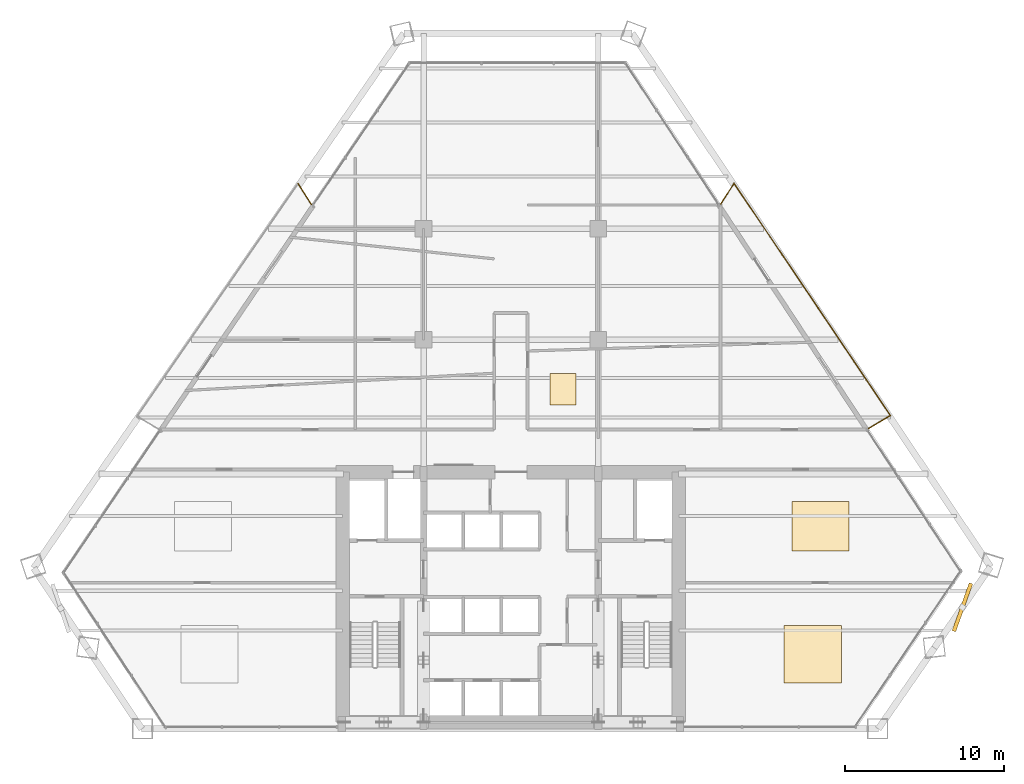
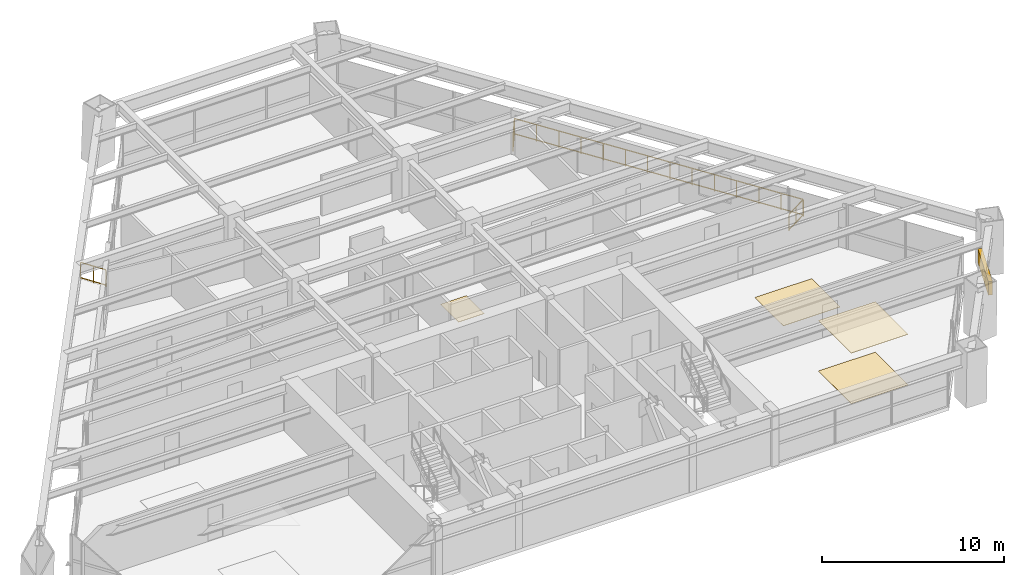
# One storey, part 14 of 14: 4 coverings, 4 railings, 1 shading device.
"""IFC4 building model written with IfcOpenShell, lengths in metres."""

from ifc_helpers import new_model, si_unit, direction, frame, origin, origin_2d, place, context, subcontext, project, spatial, rectangle, extrude, source, transform, mapped, material, layer, layer_set, type_object, type_shapes, element, save


model = new_model("IFC4")

# Units and contexts
model_context = context("Model", 3, precision=1e-05, world=origin(), true_north=direction((0.0, 1.0)))
body_context = subcontext(model_context, "Body", "Model", "MODEL_VIEW")
ifc_project = project(units=[si_unit("LENGTHUNIT", "METRE"), si_unit("AREAUNIT", "SQUARE_METRE"), si_unit("VOLUMEUNIT", "CUBIC_METRE"), si_unit("PLANEANGLEUNIT", "RADIAN"), si_unit("MASSUNIT", "GRAM", prefix="KILO")], contexts=[model_context])

# Site, building, storey
site_placement = place(None, origin())
site = spatial("IfcSite", under=ifc_project, at=site_placement, CompositionType="ELEMENT")
building_placement = place(site_placement, origin())
building = spatial("IfcBuilding", under=site, at=building_placement, Name="Varnakhor Terracotta Tower", CompositionType="ELEMENT")
storey_placement = place(building_placement, frame((0.0, 0.0, 68.199951171875)))
storey = spatial("IfcBuildingStorey", under=building, at=storey_placement, Name="L16", CompositionType="ELEMENT", Elevation=68.199951171875)

# Railings
ifc_material_1 = material(Name="Stainless Steel & Laminated Glass Guardrail", Category="steel")
railing_type = type_object("IfcRailingType", Name="RLG-LOGGIA-GUARD-1150", PredefinedType="GUARDRAIL", material=ifc_material_1)
railing_1_placement = place(storey_placement, frame((13.214111328125, 33.05224609375, 0.0)))
element("IfcRailing", 1, at=railing_1_placement, inside=storey, type_object=railing_type, Name="L16 E Loggia Glass Guard 1", PredefinedType="GUARDRAIL", context=body_context, shape_type="SweptSolid", body=[
    extrude(rectangle(XDim=0.048095703125, YDim=0.048095703125, at=origin_2d()), frame((0.0, 0.0, 1.1259765625), z_axis=(0.540614528635, 0.84127042705, 0.0), x_axis=(-0.84127042705, 0.540614528635, 0.0)), (0.0, 0.0, 1.0), 1.552490234375),
    extrude(rectangle(XDim=0.048095703125, YDim=0.048095703125, at=origin_2d()), frame((0.0, 0.0, 0.10009765625), z_axis=(0.540614528635, 0.84127042705, 0.0), x_axis=(-0.84127042705, 0.540614528635, 0.0)), (0.0, 0.0, 1.0), 1.552490234375),
    extrude(rectangle(XDim=0.0419921875, YDim=0.0419921875, at=origin_2d()), origin(), (0.0, 0.0, 1.0), 1.101806640625),
    extrude(rectangle(XDim=0.0419921875, YDim=0.0419921875, at=origin_2d()), frame((0.419677734375, 0.653076171875, 0.0)), (0.0, 0.0, 1.0), 1.101806640625),
    extrude(rectangle(XDim=0.0419921875, YDim=0.0419921875, at=origin_2d()), frame((0.83935546875, 1.30615234375, 0.0)), (0.0, 0.0, 1.0), 1.101806640625),
])
railing_2_placement = place(storey_placement, frame((14.053466796875, 34.3583984375, 0.0)))
element("IfcRailing", 2, at=railing_2_placement, inside=storey, type_object=railing_type, Name="L16 E Loggia Glass Guard 2", PredefinedType="GUARDRAIL", context=body_context, shape_type="SweptSolid", body=[
    extrude(rectangle(XDim=0.048095703125, YDim=0.048095703125, at=origin_2d()), frame((0.0, 0.0, 1.1259765625), z_axis=(0.55851517328, -0.829494304511, 0.0), x_axis=(0.829494304511, 0.55851517328, 0.0)), (0.0, 0.0, 1.0), 17.620849609375),
    extrude(rectangle(XDim=0.048095703125, YDim=0.048095703125, at=origin_2d()), frame((0.0, 0.0, 0.10009765625), z_axis=(0.55851517328, -0.829494304511, 0.0), x_axis=(0.829494304511, 0.55851517328, 0.0)), (0.0, 0.0, 1.0), 17.620849609375),
    extrude(rectangle(XDim=0.0419921875, YDim=0.0419921875, at=origin_2d()), origin(), (0.0, 0.0, 1.0), 1.101806640625),
    extrude(rectangle(XDim=0.0419921875, YDim=0.0419921875, at=origin_2d()), frame((0.757080078125, -1.124267578125, 0.0)), (0.0, 0.0, 1.0), 1.101806640625),
    extrude(rectangle(XDim=0.0419921875, YDim=0.0419921875, at=origin_2d()), frame((1.51416015625, -2.248779296875, 0.0)), (0.0, 0.0, 1.0), 1.101806640625),
    extrude(rectangle(XDim=0.0419921875, YDim=0.0419921875, at=origin_2d()), frame((2.271240234375, -3.373046875, 0.0)), (0.0, 0.0, 1.0), 1.101806640625),
    extrude(rectangle(XDim=0.0419921875, YDim=0.0419921875, at=origin_2d()), frame((3.028076171875, -4.497314453125, 0.0)), (0.0, 0.0, 1.0), 1.101806640625),
    extrude(rectangle(XDim=0.0419921875, YDim=0.0419921875, at=origin_2d()), frame((3.78515625, -5.621826171875, 0.0)), (0.0, 0.0, 1.0), 1.101806640625),
    extrude(rectangle(XDim=0.0419921875, YDim=0.0419921875, at=origin_2d()), frame((4.542236328125, -6.74609375, 0.0)), (0.0, 0.0, 1.0), 1.101806640625),
    extrude(rectangle(XDim=0.0419921875, YDim=0.0419921875, at=origin_2d()), frame((5.29931640625, -7.870361328125, 0.0)), (0.0, 0.0, 1.0), 1.101806640625),
    extrude(rectangle(XDim=0.0419921875, YDim=0.0419921875, at=origin_2d()), frame((6.056396484375, -8.99462890625, 0.0)), (0.0, 0.0, 1.0), 1.101806640625),
    extrude(rectangle(XDim=0.0419921875, YDim=0.0419921875, at=origin_2d()), frame((6.8134765625, -10.119140625, 0.0)), (0.0, 0.0, 1.0), 1.101806640625),
    extrude(rectangle(XDim=0.0419921875, YDim=0.0419921875, at=origin_2d()), frame((7.5703125, -11.243408203125, 0.0)), (0.0, 0.0, 1.0), 1.101806640625),
    extrude(rectangle(XDim=0.0419921875, YDim=0.0419921875, at=origin_2d()), frame((8.327392578125, -12.36767578125, 0.0)), (0.0, 0.0, 1.0), 1.101806640625),
    extrude(rectangle(XDim=0.0419921875, YDim=0.0419921875, at=origin_2d()), frame((9.08447265625, -13.4921875, 0.0)), (0.0, 0.0, 1.0), 1.101806640625),
    extrude(rectangle(XDim=0.0419921875, YDim=0.0419921875, at=origin_2d()), frame((9.841552734375, -14.616455078125, 0.0)), (0.0, 0.0, 1.0), 1.101806640625),
])
railing_3_placement = place(storey_placement, frame((23.89501953125, 19.741943359375, 0.0)))
element("IfcRailing", 3, at=railing_3_placement, inside=storey, type_object=railing_type, Name="L16 E Loggia Glass Guard 3", PredefinedType="GUARDRAIL", context=body_context, shape_type="SweptSolid", body=[
    extrude(rectangle(XDim=0.048095703125, YDim=0.048095703125, at=origin_2d()), frame((0.0, 0.0, 1.1259765625), z_axis=(-0.856289160511, -0.516496731443, 0.0), x_axis=(0.516496731443, -0.856289160511, 0.0)), (0.0, 0.0, 1.0), 1.595703125),
    extrude(rectangle(XDim=0.048095703125, YDim=0.048095703125, at=origin_2d()), frame((0.0, 0.0, 0.10009765625), z_axis=(-0.856289160511, -0.516496731443, 0.0), x_axis=(0.516496731443, -0.856289160511, 0.0)), (0.0, 0.0, 1.0), 1.595703125),
    extrude(rectangle(XDim=0.0419921875, YDim=0.0419921875, at=origin_2d()), origin(), (0.0, 0.0, 1.0), 1.101806640625),
    extrude(rectangle(XDim=0.0419921875, YDim=0.0419921875, at=origin_2d()), frame((-0.68310546875, -0.412109375, 0.0)), (0.0, 0.0, 1.0), 1.101806640625),
    extrude(rectangle(XDim=0.0419921875, YDim=0.0419921875, at=origin_2d()), frame((-1.366455078125, -0.82421875, 0.0)), (0.0, 0.0, 1.0), 1.101806640625),
])
railing_4_placement = place(storey_placement, frame((-13.4072265625, 34.33740234375, 0.0)))
element("IfcRailing", 4, at=railing_4_placement, inside=storey, type_object=railing_type, Name="L16 W Loggia Glass Guard 3", PredefinedType="GUARDRAIL", context=body_context, shape_type="SweptSolid", body=[
    extrude(rectangle(XDim=0.048095703125, YDim=0.048095703125, at=origin_2d()), frame((0.0, 0.0, 1.1259765625), z_axis=(0.541424846284, -0.840749151547, 0.0), x_axis=(0.840749151547, 0.541424846284, 0.0)), (0.0, 0.0, 1.0), 1.552978515625),
    extrude(rectangle(XDim=0.048095703125, YDim=0.048095703125, at=origin_2d()), frame((0.0, 0.0, 0.10009765625), z_axis=(0.541424846284, -0.840749151547, 0.0), x_axis=(0.840749151547, 0.541424846284, 0.0)), (0.0, 0.0, 1.0), 1.552978515625),
    extrude(rectangle(XDim=0.0419921875, YDim=0.0419921875, at=origin_2d()), origin(), (0.0, 0.0, 1.0), 1.101806640625),
    extrude(rectangle(XDim=0.0419921875, YDim=0.0419921875, at=origin_2d()), frame((0.42041015625, -0.65283203125, 0.0)), (0.0, 0.0, 1.0), 1.101806640625),
    extrude(rectangle(XDim=0.0419921875, YDim=0.0419921875, at=origin_2d()), frame((0.8408203125, -1.3056640625, 0.0)), (0.0, 0.0, 1.0), 1.101806640625),
])

# Shading device
ifc_material_2 = material(Name="Extruded Architectural Terracotta Screen", Category="masonry")
shading_device_type = type_object("IfcShadingDeviceType", Name="TERRACOTTA SOLAR SCREEN E", PredefinedType="USERDEFINED", material=ifc_material_2)
shared_shape_1 = source(origin(), body_context, "Body", "SweptSolid", [
    extrude(rectangle(XDim=3.199951171875, YDim=0.239990234375, at=origin_2d()), origin(), (0.0, 0.0, 1.0), 0.919921875),
])
type_shapes(shading_device_type, [shared_shape_1])
shading_device_placement = place(storey_placement, frame((28.434326171875, 7.65771484375, 1.568115234375), z_axis=(0.0, 0.0, 1.0), x_axis=(0.33683233711, 0.941564642856, 0.0)))
element("IfcShadingDevice", 5, at=shading_device_placement, inside=storey, type_object=shading_device_type, Name="L16 E Terracotta Solar Screen", ObjectType="SCREEN", PredefinedType="USERDEFINED", context=body_context, shape_type="MappedRepresentation", body=[
    mapped(shared_shape_1, transform((0.0, 0.0, 0.0), scale=1.0)),
])

# Coverings
ifc_material_3 = material(Name="Honed Riyadh Limestone Flooring", Category="masonry")
ifc_layer_1 = layer(ifc_material_3, 0.030029296875, Name="Honed Riyadh Limestone Flooring")
ifc_layer_set_1 = layer_set([ifc_layer_1], Name="Honed Riyadh Limestone Flooring")
covering_type_1 = type_object("IfcCoveringType", Name="COV-FLOOR-LIMESTONE", PredefinedType="FLOORING", material=ifc_layer_set_1)
shared_shape_2 = source(origin(), body_context, "Body", "SweptSolid", [
    extrude(rectangle(XDim=3.60009765625, YDim=3.60009765625, at=origin_2d()), origin(), (0.0, 0.0, 1.0), 0.02001953125),
])
covering_1_placement = place(storey_placement, frame((19.009033203125, 4.701904296875, 0.0), z_axis=(0.0, 0.0, 1.0), x_axis=(1.0, 0.0, 0.0)))
element("IfcCovering", 6, at=covering_1_placement, inside=storey, type_object=covering_type_1, Name="L16 Honed Stone Flooring 2", PredefinedType="FLOORING", context=body_context, shape_type="MappedRepresentation", body=[
    mapped(shared_shape_2, transform((0.0, 0.0, 0.0), scale=1.0)),
])
ifc_material_4 = material(Name="Perforated Acoustic Mineral-Fibre Ceiling", Category="gypsum")
ifc_layer_2 = layer(ifc_material_4, 0.02490234375, Name="Perforated Acoustic Mineral-Fibre Ceiling")
ifc_layer_set_2 = layer_set([ifc_layer_2], Name="Perforated Acoustic Mineral-Fibre Ceiling")
covering_type_2 = type_object("IfcCoveringType", Name="COV-CEILING-ACOUSTIC", PredefinedType="CEILING", material=ifc_layer_set_2)
shared_shape_3 = source(origin(), body_context, "Body", "SweptSolid", [
    extrude(rectangle(XDim=3.60009765625, YDim=3.60009765625, at=origin_2d()), origin(), (0.0, 0.0, 1.0), 0.02392578125),
])
covering_2_placement = place(storey_placement, frame((19.009033203125, 4.701904296875, 3.3759765625), z_axis=(0.0, 0.0, 1.0), x_axis=(1.0, 0.0, 0.0)))
element("IfcCovering", 7, at=covering_2_placement, inside=storey, type_object=covering_type_2, Name="L16 Acoustic Ceiling Panel 2", PredefinedType="CEILING", context=body_context, shape_type="MappedRepresentation", body=[
    mapped(shared_shape_3, transform((0.0, 0.0, 0.0), scale=1.0)),
])
shared_shape_4 = source(origin(), body_context, "Body", "SweptSolid", [
    extrude(rectangle(XDim=3.60009765625, YDim=3.1220703125, at=origin_2d()), origin(), (0.0, 0.0, 1.0), 0.02001953125),
])
covering_3_placement = place(storey_placement, frame((19.5029296875, 12.763916015625, 0.0), z_axis=(0.0, 0.0, 1.0), x_axis=(1.0, 0.0, 0.0)))
element("IfcCovering", 8, at=covering_3_placement, inside=storey, type_object=covering_type_1, Name="L16 Honed Stone Flooring 4", PredefinedType="FLOORING", context=body_context, shape_type="MappedRepresentation", body=[
    mapped(shared_shape_4, transform((0.0, 0.0, 0.0), scale=1.0)),
])
shared_shape_5 = source(origin(), body_context, "Body", "SweptSolid", [
    extrude(rectangle(XDim=1.636962890625, YDim=1.97509765625, at=origin_2d()), origin(), (0.0, 0.0, 1.0), 0.02001953125),
])
covering_4_placement = place(storey_placement, frame((3.285888671875, 21.39404296875, 0.0), z_axis=(0.0, 0.0, 1.0), x_axis=(1.0, 0.0, 0.0)))
element("IfcCovering", 9, at=covering_4_placement, inside=storey, type_object=covering_type_1, Name="L16 Honed Stone Flooring 5", PredefinedType="FLOORING", context=body_context, shape_type="MappedRepresentation", body=[
    mapped(shared_shape_5, transform((0.0, 0.0, 0.0), scale=1.0)),
])

save(model, "model.ifc")
